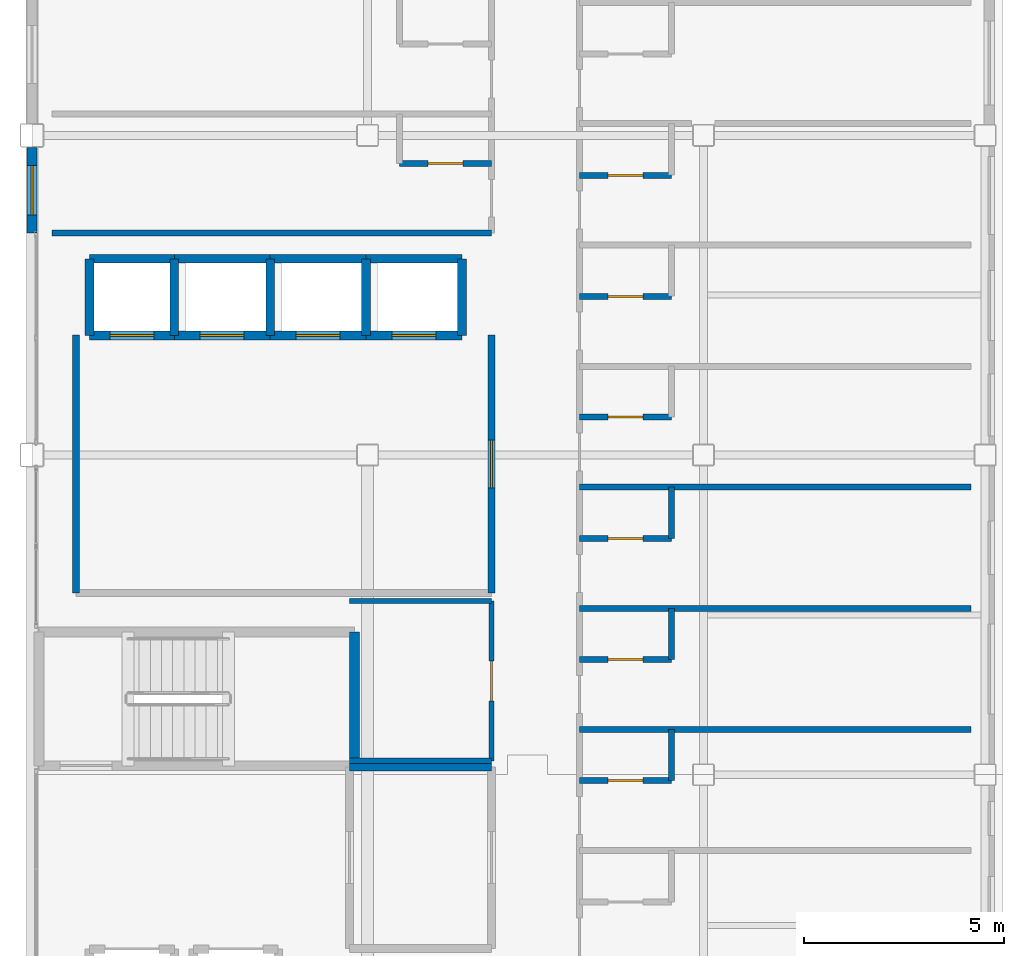
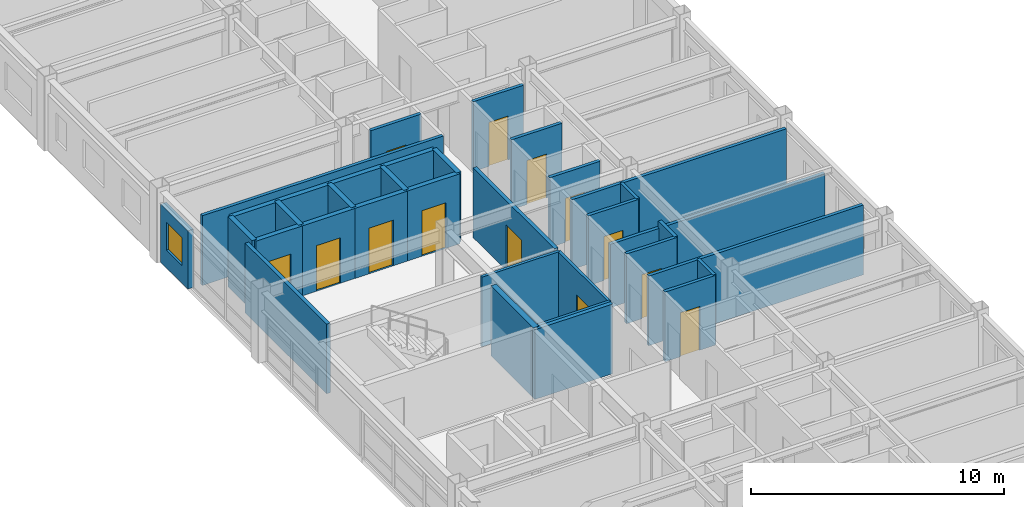
# One storey, part 29 of 36: 35 walls, 13 doors, 1 window, 14 openings.
"""IFC4 building model written with IfcOpenShell, lengths in metres."""

from ifc_helpers import new_model, si_unit, direction, frame, frame_2d, origin, place, context, subcontext, project, spatial, rectangle, extrude, material, layer, layer_set, type_object, element, fill, save


model = new_model("IFC4")

# Units and contexts
model_context = context("Model", 3, precision=1e-05, world=origin(), true_north=direction((0.0, 1.0)))
body_context = subcontext(model_context, "Body", "Model", "MODEL_VIEW")
ifc_project = project(units=[si_unit("LENGTHUNIT", "METRE"), si_unit("AREAUNIT", "SQUARE_METRE"), si_unit("VOLUMEUNIT", "CUBIC_METRE"), si_unit("PLANEANGLEUNIT", "RADIAN"), si_unit("MASSUNIT", "GRAM", prefix="KILO")], contexts=[model_context])

# Site, building, storey
site_placement = place(None, origin())
site = spatial("IfcSite", under=ifc_project, at=site_placement, CompositionType="ELEMENT")
building_placement = place(site_placement, origin())
building = spatial("IfcBuilding", under=site, at=building_placement, Name="Kazehara Bluff Congress Hotel", CompositionType="ELEMENT")
storey_placement = place(building_placement, frame((0.0, 0.0, 31.800048828125)))
storey = spatial("IfcBuildingStorey", under=building, at=storey_placement, Name="L07", CompositionType="ELEMENT", Elevation=31.800048828125)

# Wall
ifc_material_1 = material(Name="Concrete C40/50", Category="concrete")
ifc_layer_1 = layer(ifc_material_1, 0.25)
ifc_layer_set_1 = layer_set([ifc_layer_1], Name="Concrete C40/50")
wall_type_1 = type_object("IfcWallType", Name="TP-CW-RC", PredefinedType="SHEAR", material=ifc_layer_set_1)
wall_1_placement = place(storey_placement, frame((151.77490234375, 52.02490234375, 0.0), z_axis=(0.0, 0.0, 1.0), x_axis=(0.0, -1.0, 0.0)))
element("IfcWall", 1, at=wall_1_placement, inside=storey, type_object=wall_type_1, Name="L07 ST-11 core wall far", PredefinedType="SHEAR", context=body_context, shape_type="SweptSolid", body=[
    extrude(rectangle(XDim=3.349853515625, YDim=0.25, at=frame_2d((1.6748046875, 0.0))), origin(), (0.0, 0.0, 1.0), 3.3798828125),
])

# Wall, opening, window
ifc_material_2 = material(Name="Precast concrete C40/50", Category="concrete")
ifc_layer_2 = layer(ifc_material_2, 0.260009765625)
ifc_layer_set_2 = layer_set([ifc_layer_2], Name="Precast concrete C40/50")
wall_type_2 = type_object("IfcWallType", Name="TP-EW-260", PredefinedType="SOLIDWALL", material=ifc_layer_set_2)
wall_2_placement = place(storey_placement, frame((143.699951171875, 62.0, 0.0), z_axis=(0.0, 0.0, 1.0), x_axis=(0.0, 1.0, 0.0)))
wall_2 = element("IfcWall", 2, at=wall_2_placement, inside=storey, type_object=wall_type_2, Name="L07 hotel facade panel 105", PredefinedType="SOLIDWALL", context=body_context, shape_type="SweptSolid", body=[
    extrude(rectangle(XDim=2.14990234375, YDim=0.260009765625, at=frame_2d((1.074951171875, 0.0))), origin(), (0.0, 0.0, 1.0), 2.804931640625),
])
opening_1_placement = place(wall_2_placement, frame((0.449951171875, 0.0, 0.85009765625)))
opening_1 = element("IfcOpeningElement", 3, at=opening_1_placement, cuts=wall_2, Name="Opening WN-06", PredefinedType="OPENING", context=body_context, shape_type="SweptSolid", body=[
    extrude(rectangle(XDim=1.25, YDim=1.35009765625, at=frame_2d((0.625, 0.675048828125))), frame((0.0, 0.139892578125, 0.0), z_axis=(0.0, -1.0, 0.0), x_axis=(1.0, 0.0, 0.0)), (0.0, 0.0, 1.0), 0.280029296875),
])
ifc_material_3 = material(Name="Insulated low-E double glazing", Category="glass")
window_type = type_object("IfcWindowType", Name="TP-WN-06", PartitioningType="SINGLE_PANEL", PredefinedType="WINDOW", material=ifc_material_3)
window_placement = place(opening_1_placement, origin())
window = element("IfcWindow", 4, at=window_placement, inside=storey, type_object=window_type, Name="L07 guestroom window WN-06 200", OverallHeight=1.35009765625, OverallWidth=1.25, PartitioningType="SINGLE_PANEL", PredefinedType="WINDOW", context=body_context, shape_type="SweptSolid", body=[
    extrude(rectangle(XDim=1.25, YDim=1.35009765625, at=frame_2d((0.625, 0.675048828125))), frame((0.0, 0.030029296875, 0.0), z_axis=(0.0, -1.0, 0.0), x_axis=(1.0, 0.0, 0.0)), (0.0, 0.0, 1.0), 0.06005859375),
])
fill(opening_1, window)

# Walls
ifc_material_4 = material(Name="Concrete C40/50", Category="concrete")
ifc_layer_3 = layer(ifc_material_4, 0.199951171875)
ifc_layer_set_3 = layer_set([ifc_layer_3], Name="Concrete C40/50")
wall_type_3 = type_object("IfcWallType", Name="TP-FW-RC", PredefinedType="SOLIDWALL", material=ifc_layer_set_3)
wall_3_placement = place(storey_placement, frame((151.64990234375, 48.64990234375, 0.0), z_axis=(0.0, 0.0, 1.0), x_axis=(1.0, 0.0, 0.0)))
element("IfcWall", 5, at=wall_3_placement, inside=storey, type_object=wall_type_3, Name="L07 partition FW-RC 904", PredefinedType="SOLIDWALL", context=body_context, shape_type="SweptSolid", body=[
    extrude(rectangle(XDim=3.550048828125, YDim=0.199951171875, at=frame_2d((1.77490234375, 0.0))), origin(), (0.0, 0.0, 1.0), 3.364990234375),
])
ifc_material_5 = material(Name="Fire-rated gypsum board stud partition")
ifc_layer_4 = layer(ifc_material_5, 0.1298828125)
ifc_layer_set_4 = layer_set([ifc_layer_4], Name="Fire-rated gypsum board stud partition")
wall_type_4 = type_object("IfcWallType", Name="TP-PT-130", PredefinedType="PARTITIONING", material=ifc_layer_set_4)
for number, where, z_axis, x_axis, name in (
    (6, (151.64990234375, 48.800048828125, 0.0), (0.0, 0.0, 1.0), (1.0, 0.0, 0.0), "L07 partition PT-130 905"),
    (7, (151.64990234375, 52.800048828125, 0.0), (0.0, 0.0, 1.0), (1.0, 0.0, 0.0), "L07 partition PT-130 909"),
):
    element("IfcWall", number, at=place(storey_placement, frame(where, z_axis=z_axis, x_axis=x_axis)), inside=storey, type_object=wall_type_4, Name=name, PredefinedType="PARTITIONING", context=body_context, shape_type="SweptSolid", body=[
        extrude(rectangle(XDim=3.550048828125, YDim=0.1298828125, at=frame_2d((1.77490234375, 0.0))), origin(), (0.0, 0.0, 1.0), 3.364990234375),
    ])

# Wall, opening, door
wall_4_placement = place(storey_placement, frame((155.199951171875, 48.800048828125, 0.0), z_axis=(0.0, 0.0, 1.0), x_axis=(0.0, 1.0, 0.0)))
wall_4 = element("IfcWall", 8, at=wall_4_placement, inside=storey, type_object=wall_type_4, Name="L07 partition PT-130 979", PredefinedType="PARTITIONING", context=body_context, shape_type="SweptSolid", body=[
    extrude(rectangle(XDim=4.0, YDim=0.1298828125, at=frame_2d((2.0, 0.0))), origin(), (0.0, 0.0, 1.0), 3.364990234375),
])
opening_2_placement = place(wall_4_placement, frame((1.5, 0.0, 0.0)))
opening_2 = element("IfcOpeningElement", 9, at=opening_2_placement, cuts=wall_4, Name="Opening ID-03", PredefinedType="OPENING", context=body_context, shape_type="SweptSolid", body=[
    extrude(rectangle(XDim=1.0, YDim=2.179931640625, at=frame_2d((0.5, 1.08984375))), frame((0.0, 0.074951171875, 0.0), z_axis=(0.0, -1.0, 0.0), x_axis=(1.0, 0.0, 0.0)), (0.0, 0.0, 1.0), 0.14990234375),
])
ifc_material_6 = material(Name="Architectural oak veneer leaf")
door_type_1 = type_object("IfcDoorType", Name="TP-ID-03", OperationType="NOTDEFINED", PredefinedType="DOOR", material=ifc_material_6)
door_1_placement = place(opening_2_placement, origin())
door_1 = element("IfcDoor", 10, at=door_1_placement, inside=storey, type_object=door_type_1, Name="L07 L07 Housekeeping and Linen Room door", OperationType="SINGLE_SWING_RIGHT", OverallHeight=2.179931640625, OverallWidth=1.0, PredefinedType="DOOR", context=body_context, shape_type="SweptSolid", body=[
    extrude(rectangle(XDim=1.0, YDim=2.179931640625, at=frame_2d((0.5, 1.08984375))), frame((0.0, 0.02490234375, 0.0), z_axis=(0.0, -1.0, 0.0), x_axis=(1.0, 0.0, 0.0)), (0.0, 0.0, 1.0), 0.050048828125),
])
fill(opening_2, door_1)

ifc_material_7 = material(Name="Fire-rated gypsum board stud partition")
ifc_layer_5 = layer(ifc_material_7, 0.14990234375)
ifc_layer_set_5 = layer_set([ifc_layer_5], Name="Fire-rated gypsum board stud partition")
wall_type_5 = type_object("IfcWallType", Name="TP-PT-150", PredefinedType="PARTITIONING", material=ifc_layer_set_5)
wall_5_placement = place(storey_placement, frame((157.39990234375, 48.300048828125, 0.0), z_axis=(0.0, 0.0, 1.0), x_axis=(1.0, 0.0, 0.0)))
wall_5 = element("IfcWall", 11, at=wall_5_placement, inside=storey, type_object=wall_type_5, Name="L07 partition PT-150 903", PredefinedType="PARTITIONING", context=body_context, shape_type="SweptSolid", body=[
    extrude(rectangle(XDim=2.300048828125, YDim=0.14990234375, at=frame_2d((1.14990234375, 0.0))), origin(), (0.0, 0.0, 1.0), 3.364990234375),
])
opening_3_placement = place(wall_5_placement, frame((0.7099609375, 0.0, 0.0)))
opening_3 = element("IfcOpeningElement", 12, at=opening_3_placement, cuts=wall_5, Name="Opening BD-02", PredefinedType="OPENING", context=body_context, shape_type="SweptSolid", body=[
    extrude(rectangle(XDim=0.8798828125, YDim=2.1201171875, at=frame_2d((0.43994140625, 1.06005859375))), frame((0.0, 0.0849609375, 0.0), z_axis=(0.0, -1.0, 0.0), x_axis=(1.0, 0.0, 0.0)), (0.0, 0.0, 1.0), 0.169921875),
])
ifc_material_8 = material(Name="Architectural oak veneer leaf")
door_type_2 = type_object("IfcDoorType", Name="TP-BD-02", OperationType="NOTDEFINED", PredefinedType="DOOR", material=ifc_material_8)
door_2_placement = place(opening_3_placement, origin())
door_2 = element("IfcDoor", 13, at=door_2_placement, inside=storey, type_object=door_type_2, Name="L07 En-suite Bathroom 194 door", OperationType="SINGLE_SWING_RIGHT", OverallHeight=2.1201171875, OverallWidth=0.8798828125, PredefinedType="DOOR", context=body_context, shape_type="SweptSolid", body=[
    extrude(rectangle(XDim=0.8798828125, YDim=2.1201171875, at=frame_2d((0.43994140625, 1.06005859375))), frame((0.0, 0.02490234375, 0.0), z_axis=(0.0, -1.0, 0.0), x_axis=(1.0, 0.0, 0.0)), (0.0, 0.0, 1.0), 0.050048828125),
])
fill(opening_3, door_2)

# Wall
wall_6_placement = place(storey_placement, frame((157.39990234375, 49.580078125, 0.0), z_axis=(0.0, 0.0, 1.0), x_axis=(1.0, 0.0, 0.0)))
element("IfcWall", 14, at=wall_6_placement, inside=storey, type_object=wall_type_5, Name="L07 partition PT-150 906", PredefinedType="PARTITIONING", context=body_context, shape_type="SweptSolid", body=[
    extrude(rectangle(XDim=9.800048828125, YDim=0.14990234375, at=frame_2d((4.89990234375, 0.0))), origin(), (0.0, 0.0, 1.0), 3.364990234375),
])

# Wall, opening, door
wall_7_placement = place(storey_placement, frame((157.39990234375, 51.330078125, 0.0), z_axis=(0.0, 0.0, 1.0), x_axis=(1.0, 0.0, 0.0)))
wall_7 = element("IfcWall", 15, at=wall_7_placement, inside=storey, type_object=wall_type_5, Name="L07 partition PT-150 907", PredefinedType="PARTITIONING", context=body_context, shape_type="SweptSolid", body=[
    extrude(rectangle(XDim=2.300048828125, YDim=0.14990234375, at=frame_2d((1.14990234375, 0.0))), origin(), (0.0, 0.0, 1.0), 3.364990234375),
])
opening_4_placement = place(wall_7_placement, frame((0.7099609375, 0.0, 0.0)))
opening_4 = element("IfcOpeningElement", 16, at=opening_4_placement, cuts=wall_7, Name="Opening BD-02", PredefinedType="OPENING", context=body_context, shape_type="SweptSolid", body=[
    extrude(rectangle(XDim=0.8798828125, YDim=2.1201171875, at=frame_2d((0.43994140625, 1.06005859375))), frame((0.0, 0.0849609375, 0.0), z_axis=(0.0, -1.0, 0.0), x_axis=(1.0, 0.0, 0.0)), (0.0, 0.0, 1.0), 0.169921875),
])
door_3_placement = place(opening_4_placement, origin())
door_3 = element("IfcDoor", 17, at=door_3_placement, inside=storey, type_object=door_type_2, Name="L07 En-suite Bathroom 195 door", OperationType="SINGLE_SWING_RIGHT", OverallHeight=2.1201171875, OverallWidth=0.8798828125, PredefinedType="DOOR", context=body_context, shape_type="SweptSolid", body=[
    extrude(rectangle(XDim=0.8798828125, YDim=2.1201171875, at=frame_2d((0.43994140625, 1.06005859375))), frame((0.0, 0.02490234375, 0.0), z_axis=(0.0, -1.0, 0.0), x_axis=(1.0, 0.0, 0.0)), (0.0, 0.0, 1.0), 0.050048828125),
])
fill(opening_4, door_3)

# Wall
wall_8_placement = place(storey_placement, frame((157.39990234375, 52.610107421875, 0.0), z_axis=(0.0, 0.0, 1.0), x_axis=(1.0, 0.0, 0.0)))
element("IfcWall", 18, at=wall_8_placement, inside=storey, type_object=wall_type_5, Name="L07 partition PT-150 908", PredefinedType="PARTITIONING", context=body_context, shape_type="SweptSolid", body=[
    extrude(rectangle(XDim=9.800048828125, YDim=0.14990234375, at=frame_2d((4.89990234375, 0.0))), origin(), (0.0, 0.0, 1.0), 3.054931640625),
])

# Wall, opening, door
wall_9_placement = place(storey_placement, frame((157.39990234375, 54.360107421875, 0.0), z_axis=(0.0, 0.0, 1.0), x_axis=(1.0, 0.0, 0.0)))
wall_9 = element("IfcWall", 19, at=wall_9_placement, inside=storey, type_object=wall_type_5, Name="L07 partition PT-150 911", PredefinedType="PARTITIONING", context=body_context, shape_type="SweptSolid", body=[
    extrude(rectangle(XDim=2.300048828125, YDim=0.14990234375, at=frame_2d((1.14990234375, 0.0))), origin(), (0.0, 0.0, 1.0), 3.364990234375),
])
opening_5_placement = place(wall_9_placement, frame((0.7099609375, 0.0, 0.0)))
opening_5 = element("IfcOpeningElement", 20, at=opening_5_placement, cuts=wall_9, Name="Opening BD-02", PredefinedType="OPENING", context=body_context, shape_type="SweptSolid", body=[
    extrude(rectangle(XDim=0.8798828125, YDim=2.1201171875, at=frame_2d((0.43994140625, 1.06005859375))), frame((0.0, 0.0849609375, 0.0), z_axis=(0.0, -1.0, 0.0), x_axis=(1.0, 0.0, 0.0)), (0.0, 0.0, 1.0), 0.169921875),
])
door_4_placement = place(opening_5_placement, origin())
door_4 = element("IfcDoor", 21, at=door_4_placement, inside=storey, type_object=door_type_2, Name="L07 En-suite Bathroom 196 door", OperationType="SINGLE_SWING_RIGHT", OverallHeight=2.1201171875, OverallWidth=0.8798828125, PredefinedType="DOOR", context=body_context, shape_type="SweptSolid", body=[
    extrude(rectangle(XDim=0.8798828125, YDim=2.1201171875, at=frame_2d((0.43994140625, 1.06005859375))), frame((0.0, 0.02490234375, 0.0), z_axis=(0.0, -1.0, 0.0), x_axis=(1.0, 0.0, 0.0)), (0.0, 0.0, 1.0), 0.050048828125),
])
fill(opening_5, door_4)

# Wall
wall_10_placement = place(storey_placement, frame((157.39990234375, 55.64990234375, 0.0), z_axis=(0.0, 0.0, 1.0), x_axis=(1.0, 0.0, 0.0)))
element("IfcWall", 22, at=wall_10_placement, inside=storey, type_object=wall_type_5, Name="L07 partition PT-150 912", PredefinedType="PARTITIONING", context=body_context, shape_type="SweptSolid", body=[
    extrude(rectangle(XDim=9.800048828125, YDim=0.14990234375, at=frame_2d((4.89990234375, 0.0))), origin(), (0.0, 0.0, 1.0), 3.364990234375),
])

# Wall, opening, door
wall_11_placement = place(storey_placement, frame((157.39990234375, 57.39990234375, 0.0), z_axis=(0.0, 0.0, 1.0), x_axis=(1.0, 0.0, 0.0)))
wall_11 = element("IfcWall", 23, at=wall_11_placement, inside=storey, type_object=wall_type_5, Name="L07 partition PT-150 913", PredefinedType="PARTITIONING", context=body_context, shape_type="SweptSolid", body=[
    extrude(rectangle(XDim=2.300048828125, YDim=0.14990234375, at=frame_2d((1.14990234375, 0.0))), origin(), (0.0, 0.0, 1.0), 3.364990234375),
])
opening_6_placement = place(wall_11_placement, frame((0.7099609375, 0.0, 0.0)))
opening_6 = element("IfcOpeningElement", 24, at=opening_6_placement, cuts=wall_11, Name="Opening BD-02", PredefinedType="OPENING", context=body_context, shape_type="SweptSolid", body=[
    extrude(rectangle(XDim=0.8798828125, YDim=2.1201171875, at=frame_2d((0.43994140625, 1.06005859375))), frame((0.0, 0.0849609375, 0.0), z_axis=(0.0, -1.0, 0.0), x_axis=(1.0, 0.0, 0.0)), (0.0, 0.0, 1.0), 0.169921875),
])
door_5_placement = place(opening_6_placement, origin())
door_5 = element("IfcDoor", 25, at=door_5_placement, inside=storey, type_object=door_type_2, Name="L07 En-suite Bathroom 197 door", OperationType="SINGLE_SWING_RIGHT", OverallHeight=2.1201171875, OverallWidth=0.8798828125, PredefinedType="DOOR", context=body_context, shape_type="SweptSolid", body=[
    extrude(rectangle(XDim=0.8798828125, YDim=2.1201171875, at=frame_2d((0.43994140625, 1.06005859375))), frame((0.0, 0.02490234375, 0.0), z_axis=(0.0, -1.0, 0.0), x_axis=(1.0, 0.0, 0.0)), (0.0, 0.0, 1.0), 0.050048828125),
])
fill(opening_6, door_5)

wall_12_placement = place(storey_placement, frame((157.39990234375, 60.419921875, 0.0), z_axis=(0.0, 0.0, 1.0), x_axis=(1.0, 0.0, 0.0)))
wall_12 = element("IfcWall", 26, at=wall_12_placement, inside=storey, type_object=wall_type_5, Name="L07 partition PT-150 915", PredefinedType="PARTITIONING", context=body_context, shape_type="SweptSolid", body=[
    extrude(rectangle(XDim=2.300048828125, YDim=0.14990234375, at=frame_2d((1.14990234375, 0.0))), origin(), (0.0, 0.0, 1.0), 3.364990234375),
])
opening_7_placement = place(wall_12_placement, frame((0.7099609375, 0.0, 0.0)))
opening_7 = element("IfcOpeningElement", 27, at=opening_7_placement, cuts=wall_12, Name="Opening BD-02", PredefinedType="OPENING", context=body_context, shape_type="SweptSolid", body=[
    extrude(rectangle(XDim=0.8798828125, YDim=2.1201171875, at=frame_2d((0.43994140625, 1.06005859375))), frame((0.0, 0.0849609375, 0.0), z_axis=(0.0, -1.0, 0.0), x_axis=(1.0, 0.0, 0.0)), (0.0, 0.0, 1.0), 0.169921875),
])
door_6_placement = place(opening_7_placement, origin())
door_6 = element("IfcDoor", 28, at=door_6_placement, inside=storey, type_object=door_type_2, Name="L07 En-suite Bathroom 198 door", OperationType="SINGLE_SWING_RIGHT", OverallHeight=2.1201171875, OverallWidth=0.8798828125, PredefinedType="DOOR", context=body_context, shape_type="SweptSolid", body=[
    extrude(rectangle(XDim=0.8798828125, YDim=2.1201171875, at=frame_2d((0.43994140625, 1.06005859375))), frame((0.0, 0.02490234375, 0.0), z_axis=(0.0, -1.0, 0.0), x_axis=(1.0, 0.0, 0.0)), (0.0, 0.0, 1.0), 0.050048828125),
])
fill(opening_7, door_6)

# Wall
wall_13_placement = place(storey_placement, frame((144.199951171875, 62.0, 0.0), z_axis=(0.0, 0.0, 1.0), x_axis=(1.0, 0.0, 0.0)))
element("IfcWall", 29, at=wall_13_placement, inside=storey, type_object=wall_type_5, Name="L07 partition PT-150 917", PredefinedType="PARTITIONING", context=body_context, shape_type="SweptSolid", body=[
    extrude(rectangle(XDim=11.0, YDim=0.14990234375, at=frame_2d((5.5, 0.0))), origin(), (0.0, 0.0, 1.0), 3.364990234375),
])

# Wall, opening, door
wall_14_placement = place(storey_placement, frame((157.39990234375, 63.449951171875, 0.0), z_axis=(0.0, 0.0, 1.0), x_axis=(1.0, 0.0, 0.0)))
wall_14 = element("IfcWall", 30, at=wall_14_placement, inside=storey, type_object=wall_type_5, Name="L07 partition PT-150 918", PredefinedType="PARTITIONING", context=body_context, shape_type="SweptSolid", body=[
    extrude(rectangle(XDim=2.300048828125, YDim=0.14990234375, at=frame_2d((1.14990234375, 0.0))), origin(), (0.0, 0.0, 1.0), 3.364990234375),
])
opening_8_placement = place(wall_14_placement, frame((0.7099609375, 0.0, 0.0)))
opening_8 = element("IfcOpeningElement", 31, at=opening_8_placement, cuts=wall_14, Name="Opening BD-02", PredefinedType="OPENING", context=body_context, shape_type="SweptSolid", body=[
    extrude(rectangle(XDim=0.8798828125, YDim=2.1201171875, at=frame_2d((0.43994140625, 1.06005859375))), frame((0.0, 0.0849609375, 0.0), z_axis=(0.0, -1.0, 0.0), x_axis=(1.0, 0.0, 0.0)), (0.0, 0.0, 1.0), 0.169921875),
])
door_7_placement = place(opening_8_placement, origin())
door_7 = element("IfcDoor", 32, at=door_7_placement, inside=storey, type_object=door_type_2, Name="L07 En-suite Bathroom 199 door", OperationType="SINGLE_SWING_RIGHT", OverallHeight=2.1201171875, OverallWidth=0.8798828125, PredefinedType="DOOR", context=body_context, shape_type="SweptSolid", body=[
    extrude(rectangle(XDim=0.8798828125, YDim=2.1201171875, at=frame_2d((0.43994140625, 1.06005859375))), frame((0.0, 0.02490234375, 0.0), z_axis=(0.0, -1.0, 0.0), x_axis=(1.0, 0.0, 0.0)), (0.0, 0.0, 1.0), 0.050048828125),
])
fill(opening_8, door_7)

wall_15_placement = place(storey_placement, frame((152.89990234375, 63.75, 0.0), z_axis=(0.0, 0.0, 1.0), x_axis=(1.0, 0.0, 0.0)))
wall_15 = element("IfcWall", 33, at=wall_15_placement, inside=storey, type_object=wall_type_5, Name="L07 partition PT-150 919", PredefinedType="PARTITIONING", context=body_context, shape_type="SweptSolid", body=[
    extrude(rectangle(XDim=2.300048828125, YDim=0.14990234375, at=frame_2d((1.14990234375, 0.0))), origin(), (0.0, 0.0, 1.0), 3.364990234375),
])
opening_9_placement = place(wall_15_placement, frame((0.7099609375, 0.0, 0.0)))
opening_9 = element("IfcOpeningElement", 34, at=opening_9_placement, cuts=wall_15, Name="Opening BD-02", PredefinedType="OPENING", context=body_context, shape_type="SweptSolid", body=[
    extrude(rectangle(XDim=0.8798828125, YDim=2.1201171875, at=frame_2d((0.43994140625, 1.06005859375))), frame((0.0, 0.0849609375, 0.0), z_axis=(0.0, -1.0, 0.0), x_axis=(1.0, 0.0, 0.0)), (0.0, 0.0, 1.0), 0.169921875),
])
door_8_placement = place(opening_9_placement, origin())
door_8 = element("IfcDoor", 35, at=door_8_placement, inside=storey, type_object=door_type_2, Name="L07 En-suite Bathroom 174 door", OperationType="SINGLE_SWING_RIGHT", OverallHeight=2.1201171875, OverallWidth=0.8798828125, PredefinedType="DOOR", context=body_context, shape_type="SweptSolid", body=[
    extrude(rectangle(XDim=0.8798828125, YDim=2.1201171875, at=frame_2d((0.43994140625, 1.06005859375))), frame((0.0, 0.02490234375, 0.0), z_axis=(0.0, -1.0, 0.0), x_axis=(1.0, 0.0, 0.0)), (0.0, 0.0, 1.0), 0.050048828125),
])
fill(opening_9, door_8)

# Walls
for number, where, z_axis, x_axis, name in (
    (36, (159.699951171875, 48.300048828125, 0.0), (0.0, 0.0, 1.0), (0.0, 1.0, 0.0), "L07 partition PT-150 996"),
    (37, (159.699951171875, 51.330078125, 0.0), (0.0, 0.0, 1.0), (0.0, 1.0, 0.0), "L07 partition PT-150 997"),
):
    element("IfcWall", number, at=place(storey_placement, frame(where, z_axis=z_axis, x_axis=x_axis)), inside=storey, type_object=wall_type_5, Name=name, PredefinedType="PARTITIONING", context=body_context, shape_type="SweptSolid", body=[
        extrude(rectangle(XDim=1.280029296875, YDim=0.14990234375, at=frame_2d((0.64013671875, 0.0))), origin(), (0.0, 0.0, 1.0), 3.364990234375),
    ])
wall_16_placement = place(storey_placement, frame((159.699951171875, 54.360107421875, 0.0), z_axis=(0.0, 0.0, 1.0), x_axis=(0.0, 1.0, 0.0)))
element("IfcWall", 38, at=wall_16_placement, inside=storey, type_object=wall_type_5, Name="L07 partition PT-150 998", PredefinedType="PARTITIONING", context=body_context, shape_type="SweptSolid", body=[
    extrude(rectangle(XDim=1.284912109375, YDim=0.14990234375, at=frame_2d((0.642578125, 0.0))), origin(), (0.0, 0.0, 1.0), 3.364990234375),
])
ifc_material_9 = material(Name="Fire-rated gypsum board stud partition")
ifc_layer_6 = layer(ifc_material_9, 0.169921875)
ifc_layer_set_6 = layer_set([ifc_layer_6], Name="Fire-rated gypsum board stud partition")
wall_type_6 = type_object("IfcWallType", Name="TP-PT-180", PredefinedType="PARTITIONING", material=ifc_layer_set_6)
wall_17_placement = place(storey_placement, frame((144.800048828125, 53.0, 0.0), z_axis=(0.0, 0.0, 1.0), x_axis=(0.0, 1.0, 0.0)))
element("IfcWall", 39, at=wall_17_placement, inside=storey, type_object=wall_type_6, Name="L07 partition PT-180 957", PredefinedType="PARTITIONING", context=body_context, shape_type="SweptSolid", body=[
    extrude(rectangle(XDim=6.449951171875, YDim=0.169921875, at=frame_2d((3.22509765625, 0.0))), origin(), (0.0, 0.0, 1.0), 3.364990234375),
])

# Wall, opening, door
wall_18_placement = place(storey_placement, frame((155.199951171875, 53.0, 0.0), z_axis=(0.0, 0.0, 1.0), x_axis=(0.0, 1.0, 0.0)))
wall_18 = element("IfcWall", 40, at=wall_18_placement, inside=storey, type_object=wall_type_6, Name="L07 partition PT-180 980", PredefinedType="PARTITIONING", context=body_context, shape_type="SweptSolid", body=[
    extrude(rectangle(XDim=6.449951171875, YDim=0.169921875, at=frame_2d((3.22509765625, 0.0))), origin(), (0.0, 0.0, 1.0), 3.364990234375),
])
opening_10_placement = place(wall_18_placement, frame((2.625, 0.0, 0.0)))
opening_10 = element("IfcOpeningElement", 41, at=opening_10_placement, cuts=wall_18, Name="Opening FD-02", PredefinedType="OPENING", context=body_context, shape_type="SweptSolid", body=[
    extrude(rectangle(XDim=1.199951171875, YDim=2.199951171875, at=frame_2d((0.60009765625, 1.10009765625))), frame((0.0, 0.094970703125, 0.0), z_axis=(0.0, -1.0, 0.0), x_axis=(1.0, 0.0, 0.0)), (0.0, 0.0, 1.0), 0.18994140625),
])
ifc_material_10 = material(Name="Fire-rated painted steel leaf", Category="steel")
door_type_3 = type_object("IfcDoorType", Name="TP-FD-02", OperationType="NOTDEFINED", PredefinedType="DOOR", material=ifc_material_10)
door_9_placement = place(opening_10_placement, origin())
door_9 = element("IfcDoor", 42, at=door_9_placement, inside=storey, type_object=door_type_3, Name="L07 Hotel Passenger Lift Lobby door", OperationType="SINGLE_SWING_RIGHT", OverallHeight=2.199951171875, OverallWidth=1.199951171875, PredefinedType="DOOR", context=body_context, shape_type="SweptSolid", body=[
    extrude(rectangle(XDim=1.199951171875, YDim=2.199951171875, at=frame_2d((0.60009765625, 1.10009765625))), frame((0.0, 0.02490234375, 0.0), z_axis=(0.0, -1.0, 0.0), x_axis=(1.0, 0.0, 0.0)), (0.0, 0.0, 1.0), 0.050048828125),
])
fill(opening_10, door_9)

# Wall
ifc_material_11 = material(Name="Concrete C40/50", Category="concrete")
ifc_layer_7 = layer(ifc_material_11, 0.219970703125)
ifc_layer_set_7 = layer_set([ifc_layer_7], Name="Concrete C40/50")
wall_type_7 = type_object("IfcWallType", Name="TP-SW-RC", PredefinedType="SHEAR", material=ifc_layer_set_7)
wall_19_placement = place(storey_placement, frame((145.139892578125, 61.360107421875, 0.0), z_axis=(0.0, 0.0, 1.0), x_axis=(1.0, 0.0, 0.0)))
element("IfcWall", 43, at=wall_19_placement, inside=storey, type_object=wall_type_7, Name="L07 EL-P1 lift shaft wall +Y", PredefinedType="SHEAR", context=body_context, shape_type="SweptSolid", body=[
    extrude(rectangle(XDim=2.1201171875, YDim=0.219970703125, at=frame_2d((1.06005859375, 0.0))), origin(), (0.0, 0.0, 1.0), 3.3798828125),
])

# Wall, opening, door
wall_20_placement = place(storey_placement, frame((145.139892578125, 59.43994140625, 0.0), z_axis=(0.0, 0.0, 1.0), x_axis=(1.0, 0.0, 0.0)))
wall_20 = element("IfcWall", 44, at=wall_20_placement, inside=storey, type_object=wall_type_7, Name="L07 EL-P1 lift shaft wall -Y", PredefinedType="SHEAR", context=body_context, shape_type="SweptSolid", body=[
    extrude(rectangle(XDim=2.1201171875, YDim=0.219970703125, at=frame_2d((1.06005859375, 0.0))), origin(), (0.0, 0.0, 1.0), 3.3798828125),
])
opening_11_placement = place(wall_20_placement, frame((0.510009765625, 0.0, 0.0)))
opening_11 = element("IfcOpeningElement", 45, at=opening_11_placement, cuts=wall_20, Name="Opening LD-01", PredefinedType="OPENING", context=body_context, shape_type="SweptSolid", body=[
    extrude(rectangle(XDim=1.10009765625, YDim=2.199951171875, at=frame_2d((0.550048828125, 1.10009765625))), frame((0.0, 0.119873046875, 0.0), z_axis=(0.0, -1.0, 0.0), x_axis=(1.0, 0.0, 0.0)), (0.0, 0.0, 1.0), 0.239990234375),
])
ifc_material_12 = material(Name="Fire-rated painted steel leaf", Category="steel")
door_type_4 = type_object("IfcDoorType", Name="TP-LD-01", OperationType="SLIDING_TO_LEFT", PredefinedType="DOOR", material=ifc_material_12)
door_10_placement = place(opening_11_placement, origin())
door_10 = element("IfcDoor", 46, at=door_10_placement, inside=storey, type_object=door_type_4, Name="L07 EL-P1 elevator landing door", OperationType="SLIDING_TO_LEFT", OverallHeight=2.199951171875, OverallWidth=1.10009765625, PredefinedType="DOOR", context=body_context, shape_type="SweptSolid", body=[
    extrude(rectangle(XDim=1.10009765625, YDim=2.199951171875, at=frame_2d((0.550048828125, 1.10009765625))), frame((0.0, 0.02490234375, 0.0), z_axis=(0.0, -1.0, 0.0), x_axis=(1.0, 0.0, 0.0)), (0.0, 0.0, 1.0), 0.050048828125),
])
fill(opening_11, door_10)

# Walls
for number, where, z_axis, x_axis, name in (
    (47, (147.260009765625, 59.43994140625, 0.0), (0.0, 0.0, 1.0), (0.0, 1.0, 0.0), "L07 EL-P1 lift shaft wall +X"),
    (48, (145.139892578125, 59.43994140625, 0.0), (0.0, 0.0, 1.0), (0.0, 1.0, 0.0), "L07 EL-P1 lift shaft wall -X"),
):
    element("IfcWall", number, at=place(storey_placement, frame(where, z_axis=z_axis, x_axis=x_axis)), inside=storey, type_object=wall_type_7, Name=name, PredefinedType="SHEAR", context=body_context, shape_type="SweptSolid", body=[
        extrude(rectangle(XDim=1.920166015625, YDim=0.219970703125, at=frame_2d((0.9599609375, 0.0))), origin(), (0.0, 0.0, 1.0), 3.3798828125),
    ])
wall_21_placement = place(storey_placement, frame((147.260009765625, 61.360107421875, 0.0), z_axis=(0.0, 0.0, 1.0), x_axis=(1.0, 0.0, 0.0)))
element("IfcWall", 49, at=wall_21_placement, inside=storey, type_object=wall_type_7, Name="L07 EL-P2 lift shaft wall +Y", PredefinedType="SHEAR", context=body_context, shape_type="SweptSolid", body=[
    extrude(rectangle(XDim=2.39990234375, YDim=0.219970703125, at=frame_2d((1.199951171875, 0.0))), origin(), (0.0, 0.0, 1.0), 3.3798828125),
])

# Wall, opening, door
wall_22_placement = place(storey_placement, frame((147.260009765625, 59.43994140625, 0.0), z_axis=(0.0, 0.0, 1.0), x_axis=(1.0, 0.0, 0.0)))
wall_22 = element("IfcWall", 50, at=wall_22_placement, inside=storey, type_object=wall_type_7, Name="L07 EL-P2 lift shaft wall -Y", PredefinedType="SHEAR", context=body_context, shape_type="SweptSolid", body=[
    extrude(rectangle(XDim=2.39990234375, YDim=0.219970703125, at=frame_2d((1.199951171875, 0.0))), origin(), (0.0, 0.0, 1.0), 3.3798828125),
])
opening_12_placement = place(wall_22_placement, frame((0.64990234375, 0.0, 0.0)))
opening_12 = element("IfcOpeningElement", 51, at=opening_12_placement, cuts=wall_22, Name="Opening LD-01", PredefinedType="OPENING", context=body_context, shape_type="SweptSolid", body=[
    extrude(rectangle(XDim=1.10009765625, YDim=2.199951171875, at=frame_2d((0.550048828125, 1.10009765625))), frame((0.0, 0.119873046875, 0.0), z_axis=(0.0, -1.0, 0.0), x_axis=(1.0, 0.0, 0.0)), (0.0, 0.0, 1.0), 0.239990234375),
])
door_11_placement = place(opening_12_placement, origin())
door_11 = element("IfcDoor", 52, at=door_11_placement, inside=storey, type_object=door_type_4, Name="L07 EL-P2 elevator landing door", OperationType="SLIDING_TO_LEFT", OverallHeight=2.199951171875, OverallWidth=1.10009765625, PredefinedType="DOOR", context=body_context, shape_type="SweptSolid", body=[
    extrude(rectangle(XDim=1.10009765625, YDim=2.199951171875, at=frame_2d((0.550048828125, 1.10009765625))), frame((0.0, 0.02490234375, 0.0), z_axis=(0.0, -1.0, 0.0), x_axis=(1.0, 0.0, 0.0)), (0.0, 0.0, 1.0), 0.050048828125),
])
fill(opening_12, door_11)

# Walls
wall_23_placement = place(storey_placement, frame((149.659912109375, 59.43994140625, 0.0), z_axis=(0.0, 0.0, 1.0), x_axis=(0.0, 1.0, 0.0)))
element("IfcWall", 53, at=wall_23_placement, inside=storey, type_object=wall_type_7, Name="L07 EL-P2 lift shaft wall +X", PredefinedType="SHEAR", context=body_context, shape_type="SweptSolid", body=[
    extrude(rectangle(XDim=1.920166015625, YDim=0.219970703125, at=frame_2d((0.9599609375, 0.0))), origin(), (0.0, 0.0, 1.0), 3.3798828125),
])
wall_24_placement = place(storey_placement, frame((149.659912109375, 61.360107421875, 0.0), z_axis=(0.0, 0.0, 1.0), x_axis=(1.0, 0.0, 0.0)))
element("IfcWall", 54, at=wall_24_placement, inside=storey, type_object=wall_type_7, Name="L07 EL-P3 lift shaft wall +Y", PredefinedType="SHEAR", context=body_context, shape_type="SweptSolid", body=[
    extrude(rectangle(XDim=2.400146484375, YDim=0.219970703125, at=frame_2d((1.2001953125, 0.0))), origin(), (0.0, 0.0, 1.0), 3.3798828125),
])

# Wall, opening, door
wall_25_placement = place(storey_placement, frame((149.659912109375, 59.43994140625, 0.0), z_axis=(0.0, 0.0, 1.0), x_axis=(1.0, 0.0, 0.0)))
wall_25 = element("IfcWall", 55, at=wall_25_placement, inside=storey, type_object=wall_type_7, Name="L07 EL-P3 lift shaft wall -Y", PredefinedType="SHEAR", context=body_context, shape_type="SweptSolid", body=[
    extrude(rectangle(XDim=2.400146484375, YDim=0.219970703125, at=frame_2d((1.2001953125, 0.0))), origin(), (0.0, 0.0, 1.0), 3.3798828125),
])
opening_13_placement = place(wall_25_placement, frame((0.64990234375, 0.0, 0.0)))
opening_13 = element("IfcOpeningElement", 56, at=opening_13_placement, cuts=wall_25, Name="Opening LD-01", PredefinedType="OPENING", context=body_context, shape_type="SweptSolid", body=[
    extrude(rectangle(XDim=1.10009765625, YDim=2.199951171875, at=frame_2d((0.550048828125, 1.10009765625))), frame((0.0, 0.119873046875, 0.0), z_axis=(0.0, -1.0, 0.0), x_axis=(1.0, 0.0, 0.0)), (0.0, 0.0, 1.0), 0.239990234375),
])
door_12_placement = place(opening_13_placement, origin())
door_12 = element("IfcDoor", 57, at=door_12_placement, inside=storey, type_object=door_type_4, Name="L07 EL-P3 elevator landing door", OperationType="SLIDING_TO_LEFT", OverallHeight=2.199951171875, OverallWidth=1.10009765625, PredefinedType="DOOR", context=body_context, shape_type="SweptSolid", body=[
    extrude(rectangle(XDim=1.10009765625, YDim=2.199951171875, at=frame_2d((0.550048828125, 1.10009765625))), frame((0.0, 0.02490234375, 0.0), z_axis=(0.0, -1.0, 0.0), x_axis=(1.0, 0.0, 0.0)), (0.0, 0.0, 1.0), 0.050048828125),
])
fill(opening_13, door_12)

# Walls
wall_26_placement = place(storey_placement, frame((152.06005859375, 59.43994140625, 0.0), z_axis=(0.0, 0.0, 1.0), x_axis=(0.0, 1.0, 0.0)))
element("IfcWall", 58, at=wall_26_placement, inside=storey, type_object=wall_type_7, Name="L07 EL-P3 lift shaft wall +X", PredefinedType="SHEAR", context=body_context, shape_type="SweptSolid", body=[
    extrude(rectangle(XDim=1.920166015625, YDim=0.219970703125, at=frame_2d((0.9599609375, 0.0))), origin(), (0.0, 0.0, 1.0), 3.3798828125),
])
wall_27_placement = place(storey_placement, frame((152.06005859375, 61.360107421875, 0.0), z_axis=(0.0, 0.0, 1.0), x_axis=(1.0, 0.0, 0.0)))
element("IfcWall", 59, at=wall_27_placement, inside=storey, type_object=wall_type_7, Name="L07 EL-P4 lift shaft wall +Y", PredefinedType="SHEAR", context=body_context, shape_type="SweptSolid", body=[
    extrude(rectangle(XDim=2.39990234375, YDim=0.219970703125, at=frame_2d((1.199951171875, 0.0))), origin(), (0.0, 0.0, 1.0), 3.3798828125),
])

# Wall, opening, door
wall_28_placement = place(storey_placement, frame((152.06005859375, 59.43994140625, 0.0), z_axis=(0.0, 0.0, 1.0), x_axis=(1.0, 0.0, 0.0)))
wall_28 = element("IfcWall", 60, at=wall_28_placement, inside=storey, type_object=wall_type_7, Name="L07 EL-P4 lift shaft wall -Y", PredefinedType="SHEAR", context=body_context, shape_type="SweptSolid", body=[
    extrude(rectangle(XDim=2.39990234375, YDim=0.219970703125, at=frame_2d((1.199951171875, 0.0))), origin(), (0.0, 0.0, 1.0), 3.3798828125),
])
opening_14_placement = place(wall_28_placement, frame((0.64990234375, 0.0, 0.0)))
opening_14 = element("IfcOpeningElement", 61, at=opening_14_placement, cuts=wall_28, Name="Opening LD-01", PredefinedType="OPENING", context=body_context, shape_type="SweptSolid", body=[
    extrude(rectangle(XDim=1.10009765625, YDim=2.199951171875, at=frame_2d((0.550048828125, 1.10009765625))), frame((0.0, 0.119873046875, 0.0), z_axis=(0.0, -1.0, 0.0), x_axis=(1.0, 0.0, 0.0)), (0.0, 0.0, 1.0), 0.239990234375),
])
door_13_placement = place(opening_14_placement, origin())
door_13 = element("IfcDoor", 62, at=door_13_placement, inside=storey, type_object=door_type_4, Name="L07 EL-P4 elevator landing door", OperationType="SLIDING_TO_LEFT", OverallHeight=2.199951171875, OverallWidth=1.10009765625, PredefinedType="DOOR", context=body_context, shape_type="SweptSolid", body=[
    extrude(rectangle(XDim=1.10009765625, YDim=2.199951171875, at=frame_2d((0.550048828125, 1.10009765625))), frame((0.0, 0.02490234375, 0.0), z_axis=(0.0, -1.0, 0.0), x_axis=(1.0, 0.0, 0.0)), (0.0, 0.0, 1.0), 0.050048828125),
])
fill(opening_14, door_13)

# Wall
wall_29_placement = place(storey_placement, frame((154.4599609375, 59.43994140625, 0.0), z_axis=(0.0, 0.0, 1.0), x_axis=(0.0, 1.0, 0.0)))
element("IfcWall", 63, at=wall_29_placement, inside=storey, type_object=wall_type_7, Name="L07 EL-P4 lift shaft wall +X", PredefinedType="SHEAR", context=body_context, shape_type="SweptSolid", body=[
    extrude(rectangle(XDim=1.920166015625, YDim=0.219970703125, at=frame_2d((0.9599609375, 0.0))), origin(), (0.0, 0.0, 1.0), 3.3798828125),
])

save(model, "model.ifc")
